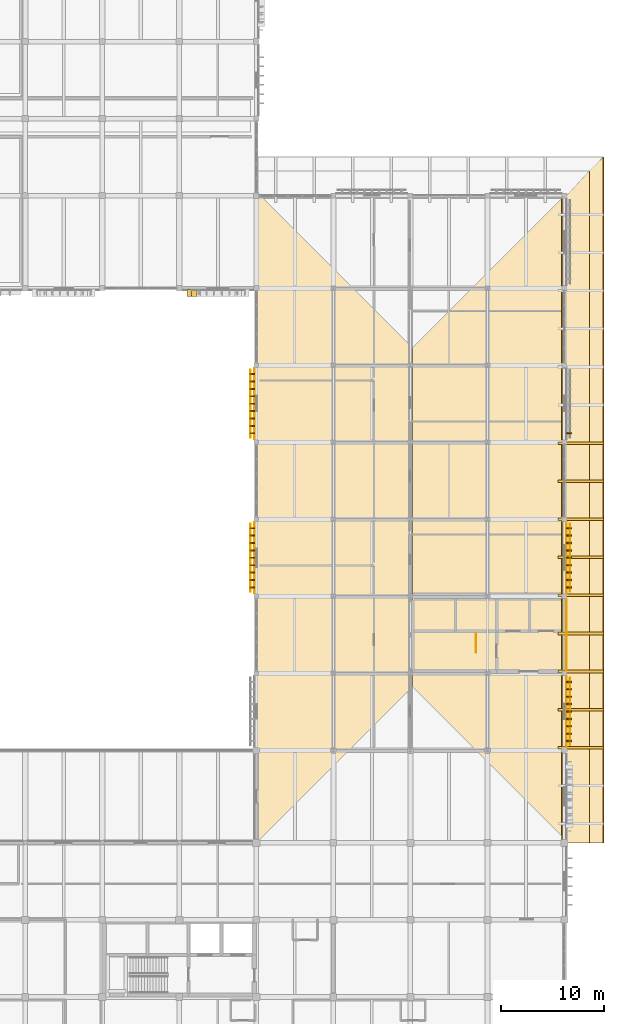
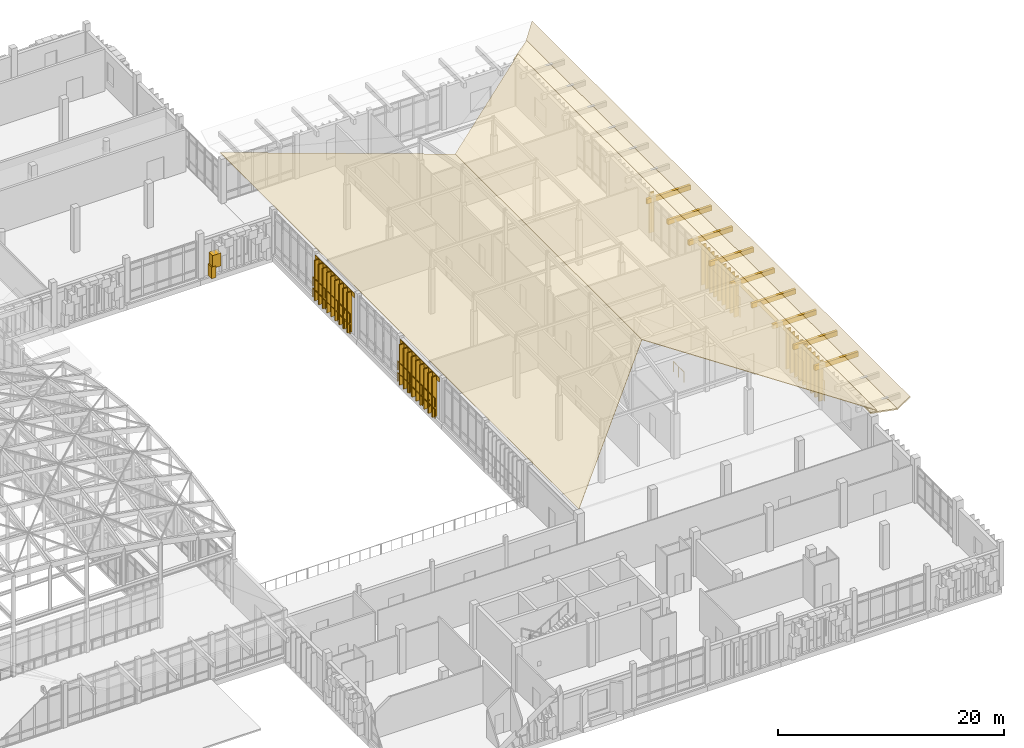
# One storey, part 129 of 131: 57 coverings, 9 railings.
"""IFC4 building model written with IfcOpenShell, lengths in metres."""

import ifcopenshell
import ifcopenshell.guid

model = None  # the IFC model being written
_history = None  # IfcOwnerHistory: only IFC2X3 demands one
_inside = {}  # id of a spatial element -> (the spatial element, [elements in it])
_under = {}  # id of a project, library or spatial element -> (it, [spatial elements below it])
_declared = {}  # id of a project -> (the project, [libraries it declares])
_typed = {}  # id of a type object -> (the type object, [elements of that type])
_made_of = {}  # id of a material, layer set ... -> (it, [elements and type objects made of it])


def new_model(schema):
    """Start an empty IFC model of exactly this schema.

    Asked for "IFC4X3", IfcOpenShell would pick the latest addendum, in which some entities
    have other attributes; the version numbers below select the first issue.
    IFC2X3 requires an IfcOwnerHistory on every rooted entity: one is made here for all.
    """
    global model, _history
    if schema == "IFC4X3":
        model = ifcopenshell.file(schema_version=(4, 3, 0, 0))
    else:
        model = ifcopenshell.file(schema=schema)
    _inside.clear()
    _under.clear()
    _declared.clear()
    _typed.clear()
    _made_of.clear()
    _history = None
    if model.schema == "IFC2X3":
        org = make("IfcOrganization", Name="unknown")
        user = make(
            "IfcPersonAndOrganization",
            ThePerson=make("IfcPerson", FamilyName="unknown"),
            TheOrganization=org,
        )
        app = make(
            "IfcApplication",
            ApplicationDeveloper=org,
            Version="unknown",
            ApplicationFullName="unknown",
            ApplicationIdentifier="unknown",
        )
        _history = make(
            "IfcOwnerHistory",
            OwningUser=user,
            OwningApplication=app,
            ChangeAction="ADDED",
            CreationDate=0,
        )
    return model


def make(cls, **values):
    """One entity of the class cls with the attributes given. An attribute that is None is left unset."""
    return model.create_entity(
        cls, **{name: value for name, value in values.items() if value is not None}
    )


def rooted(cls, **values):
    """An entity with a GlobalId (a new one), such as an element, a storey or a relation."""
    return make(cls, GlobalId=ifcopenshell.guid.new(), OwnerHistory=_history, **values)


def si_unit(unit_type, name, prefix=None):
    """IfcSIUnit, for example si_unit("LENGTHUNIT", "METRE", prefix="MILLI")."""
    return make("IfcSIUnit", UnitType=unit_type, Prefix=prefix, Name=name)


def assignment(units):
    """IfcUnitAssignment: the units of a project."""
    return None if units is None else make("IfcUnitAssignment", Units=units)


def point(xyz):
    """IfcCartesianPoint."""
    return None if xyz is None else make("IfcCartesianPoint", Coordinates=xyz)


def direction(xyz):
    """IfcDirection."""
    return None if xyz is None else make("IfcDirection", DirectionRatios=xyz)


def frame(location, z_axis=None, x_axis=None):
    """IfcAxis2Placement3D, a coordinate frame: its origin and axes. An axis left out is left unset."""
    return make(
        "IfcAxis2Placement3D",
        Location=point(location),
        Axis=direction(z_axis),
        RefDirection=direction(x_axis),
    )


def frame_2d(location, x_axis=None):
    """IfcAxis2Placement2D, a coordinate frame in the plane: its origin and x axis."""
    return make(
        "IfcAxis2Placement2D", Location=point(location), RefDirection=direction(x_axis)
    )


def origin():
    """The frame at (0, 0, 0) with its axes left unset."""
    return frame((0.0, 0.0, 0.0))


def origin_2d():
    """The frame at (0, 0) in the plane with its x axis left unset."""
    return frame_2d((0.0, 0.0))


def place(relative_to, where):
    """IfcLocalPlacement: puts the frame where relative to a parent placement (None: the world)."""
    return make(
        "IfcLocalPlacement", PlacementRelTo=relative_to, RelativePlacement=where
    )


def context(
    kind, dimensions, precision=None, world=None, true_north=None, identifier=None
):
    """IfcGeometricRepresentationContext, for example the 3D "Model" context."""
    return make(
        "IfcGeometricRepresentationContext",
        ContextIdentifier=identifier,
        ContextType=kind,
        CoordinateSpaceDimension=dimensions,
        Precision=precision,
        WorldCoordinateSystem=world,
        TrueNorth=true_north,
    )


def subcontext(parent, identifier, kind, view, scale=None):
    """IfcGeometricRepresentationSubContext, for example "Body" below "Model"."""
    return make(
        "IfcGeometricRepresentationSubContext",
        ContextIdentifier=identifier,
        ContextType=kind,
        ParentContext=parent,
        TargetScale=scale,
        TargetView=view,
    )


def project(units=None, contexts=None):
    """IfcProject with its units and contexts."""
    return rooted(
        "IfcProject",
        Name="project",
        RepresentationContexts=contexts,
        UnitsInContext=assignment(units),
    )


def spatial(cls, under=None, at=None, **own):
    """A site, building, storey or space (cls), placed at a placement, below another one or the project."""
    s = rooted(cls, ObjectPlacement=at, **own)
    if under is not None:
        _under.setdefault(under.id(), (under, []))[1].append(s)
    return s


def polyline(points):
    """IfcPolyline through the points."""
    return make("IfcPolyline", Points=[point(p) for p in points])


def profile(cls, at=None, kind="AREA", **sizes):
    """A parametric profile (cls). Its sizes go by their IFC names, for example OverallWidth=200.0."""
    return make(cls, ProfileType=kind, Position=at, **sizes)


def rectangle(**sizes):
    """IfcRectangleProfileDef."""
    return profile("IfcRectangleProfileDef", **sizes)


def circle(**sizes):
    """IfcCircleProfileDef."""
    return profile("IfcCircleProfileDef", **sizes)


def outline(outer, holes=None, kind="AREA"):
    """IfcArbitraryClosedProfileDef: a profile drawn as a closed curve; with holes, ...WithVoids."""
    if holes is None:
        return make("IfcArbitraryClosedProfileDef", ProfileType=kind, OuterCurve=outer)
    return make(
        "IfcArbitraryProfileDefWithVoids",
        ProfileType=kind,
        OuterCurve=outer,
        InnerCurves=holes,
    )


def extrude(swept, where, along, depth):
    """IfcExtrudedAreaSolid: the profile swept, set in the frame where, extruded along a direction by depth."""
    return make(
        "IfcExtrudedAreaSolid",
        SweptArea=swept,
        Position=where,
        ExtrudedDirection=direction(along),
        Depth=depth,
    )


def shape(context_of_items, identifier, shape_type, items):
    """IfcShapeRepresentation: the items that make up one representation, for example the "Body"."""
    return make(
        "IfcShapeRepresentation",
        ContextOfItems=context_of_items,
        RepresentationIdentifier=identifier,
        RepresentationType=shape_type,
        Items=items,
    )


def material(Name=None, Category=None):
    """IfcMaterial."""
    return make("IfcMaterial", Name=Name, Category=Category)


def layer(
    of_material, thickness, ventilated=None, Name=None, Category=None, Priority=None
):
    """IfcMaterialLayer: one layer of a wall or slab, of a material (None: an air gap)."""
    return make(
        "IfcMaterialLayer",
        Material=of_material,
        LayerThickness=thickness,
        IsVentilated=ventilated,
        Name=Name,
        Category=Category,
        Priority=Priority,
    )


def layer_set(layers, Name=None):
    """IfcMaterialLayerSet."""
    return make("IfcMaterialLayerSet", MaterialLayers=layers, LayerSetName=Name)


def made_of(thing, what):
    """Note that an element or type object is made of a material, layer set ...; save() writes the relation."""
    if what is not None:
        _made_of.setdefault(what.id(), (what, []))[1].append(thing)
    return thing


def type_object(cls, material=None, **own):
    """A type object (cls), such as IfcWallType, which elements share."""
    return made_of(rooted(cls, **own), material)


def element(
    cls,
    number,
    at=None,
    inside=None,
    cuts=None,
    type_object=None,
    material=None,
    context=None,
    identifier="Body",
    shape_type=None,
    held_by="IfcProductDefinitionShape",
    body=None,
    shapes=None,
    **own,
):
    """One element of the class cls, such as IfcWall. Its Tag is "e" and its number.

    at: its placement. inside: the storey or other place that contains it. cuts: it is an
    opening in that element (IfcRelVoidsElement). A single representation is given by context,
    identifier, shape_type and body (its items); several are given by shapes. held_by: the class
    of the entity that holds the representations. save() writes the other relations.
    """
    e = rooted(cls, Tag="e%d" % number, ObjectPlacement=at, **own)
    if body is not None:
        shapes = [shape(context, identifier, shape_type, body)]
    if shapes is not None:
        e.Representation = make(held_by, Representations=shapes)
    if inside is not None:
        _inside.setdefault(inside.id(), (inside, []))[1].append(e)
    if cuts is not None:
        rooted(
            "IfcRelVoidsElement", RelatingBuildingElement=cuts, RelatedOpeningElement=e
        )
    if type_object is not None:
        _typed.setdefault(type_object.id(), (type_object, []))[1].append(e)
    return made_of(e, material)


def aggregate(whole, parts):
    """IfcRelAggregates: a whole, such as a stair, and the parts it consists of."""
    return rooted("IfcRelAggregates", RelatingObject=whole, RelatedObjects=parts)


def save(model, path):
    """Write the relations noted so far, then the file.

    IfcRelAggregates (storeys below a building ...), IfcRelContainedInSpatialStructure (elements
    in a storey), IfcRelDefinesByType, IfcRelAssociatesMaterial and IfcRelDeclares: one each for
    every whole, place, type object, material and project.
    """
    for whole, parts in _under.values():
        aggregate(whole, parts)
    for where, things in _inside.values():
        rooted(
            "IfcRelContainedInSpatialStructure",
            RelatedElements=things,
            RelatingStructure=where,
        )
    for kind, things in _typed.values():
        rooted("IfcRelDefinesByType", RelatedObjects=things, RelatingType=kind)
    for what, things in _made_of.values():
        rooted("IfcRelAssociatesMaterial", RelatedObjects=things, RelatingMaterial=what)
    for by, libraries in _declared.values():
        rooted("IfcRelDeclares", RelatingContext=by, RelatedDefinitions=libraries)
    model.write(path)


model = new_model("IFC4")

# Units and contexts
model_context = context("Model", 3, precision=1e-05, world=origin(), true_north=direction((0.0, 1.0)))
body_context = subcontext(model_context, "Body", "Model", "MODEL_VIEW")
ifc_project = project(units=[si_unit("LENGTHUNIT", "METRE"), si_unit("AREAUNIT", "SQUARE_METRE"), si_unit("VOLUMEUNIT", "CUBIC_METRE"), si_unit("PLANEANGLEUNIT", "RADIAN"), si_unit("MASSUNIT", "GRAM", prefix="KILO")], contexts=[model_context])

# Site, building, storey
site_placement = place(None, origin())
site = spatial("IfcSite", under=ifc_project, at=site_placement, CompositionType="ELEMENT")
building_placement = place(site_placement, origin())
building = spatial("IfcBuilding", under=site, at=building_placement, Name="Dalvernix Boulevard General Hospital", CompositionType="ELEMENT")
storey_placement = place(building_placement, frame((0.0, 0.0, 9.300048828125)))
storey = spatial("IfcBuildingStorey", under=building, at=storey_placement, Name="L02", CompositionType="ELEMENT", Elevation=9.300048828125)

# Coverings
ifc_material_1 = material(Name="Pressed Catalan clay brick and dressed limestone parabolic archivolt", Category="masonry")
ifc_layer_1 = layer(ifc_material_1, 0.419921875)
ifc_layer_set_1 = layer_set([ifc_layer_1], Name="Pressed Catalan clay brick and dressed limestone parabolic archivolt (COV-ARC-01)")
covering_type_1 = type_object("IfcCoveringType", Name="COV-ARC-01", PredefinedType="CLADDING", material=ifc_layer_set_1)
covering_1_placement = place(storey_placement, frame((135.96240234375, 76.014892578125, 0.0), z_axis=(0.0, 0.0, 1.0), x_axis=(-1.0, 0.0, 0.0)))
element("IfcCovering", 1, at=covering_1_placement, inside=storey, type_object=covering_type_1, Name="L02 Catalan parabolic arch impost pier S 18-10-R", PredefinedType="CLADDING", context=body_context, shape_type="SweptSolid", body=[
    extrude(rectangle(XDim=0.4599609375, YDim=0.659912109375, at=origin_2d()), origin(), (0.0, 0.0, 1.0), 1.25),
])
covering_2_placement = place(storey_placement, frame((136.273681640625, 76.014892578125, 1.059814453125), z_axis=(0.0, 0.0, 1.0), x_axis=(-1.0, 0.0, 0.0)))
element("IfcCovering", 2, at=covering_2_placement, inside=storey, type_object=covering_type_1, Name="L02 Catalan parabolic archivolt voussoir S 18-10-9", PredefinedType="CLADDING", context=body_context, shape_type="SweptSolid", body=[
    extrude(rectangle(XDim=0.8623046875, YDim=0.659912109375, at=origin_2d()), origin(), (0.0, 0.0, 1.0), 1.3994140625),
])
ifc_material_2 = material(Name="Polychrome Catalan glazed ceramic spandrel tile panel")
ifc_layer_2 = layer(ifc_material_2, 0.044921875)
ifc_layer_set_2 = layer_set([ifc_layer_2], Name="Polychrome Catalan glazed ceramic spandrel tile panel (COV-CLD-01)")
covering_type_2 = type_object("IfcCoveringType", Name="COV-CLD-01", PredefinedType="CLADDING", material=ifc_layer_set_2)
for number, where, z_axis, x_axis, name in (
    (3, (142.304931640625, 50.25, 4.0751953125), (0.0, 0.0, 1.0), (0.0, 1.0, 0.0), "L02 polychrome ceramic spandrel W 19-6"),
    (4, (142.304931640625, 65.25, 4.0751953125), (0.0, 0.0, 1.0), (0.0, 1.0, 0.0), "L02 polychrome ceramic spandrel W 19-8"),
):
    element("IfcCovering", number, at=place(storey_placement, frame(where, z_axis=z_axis, x_axis=x_axis)), inside=storey, type_object=covering_type_2, Name=name, PredefinedType="CLADDING", context=body_context, shape_type="SweptSolid", body=[
        extrude(rectangle(XDim=6.929931640625, YDim=0.044921875, at=origin_2d()), origin(), (0.0, 0.0, 1.0), 0.449951171875),
    ])
covering_3_placement = place(storey_placement, frame((172.695068359375, 35.28759765625, 4.0751953125), z_axis=(0.0, 0.0, 1.0), x_axis=(0.0, -1.0, 0.0)))
element("IfcCovering", 5, at=covering_3_placement, inside=storey, type_object=covering_type_2, Name="L02 polychrome ceramic spandrel E 23-4", PredefinedType="CLADDING", context=body_context, shape_type="SweptSolid", body=[
    extrude(rectangle(XDim=6.85498046875, YDim=0.044921875, at=origin_2d()), origin(), (0.0, 0.0, 1.0), 0.449951171875),
])
for number, where, z_axis, x_axis, name in (
    (6, (172.695068359375, 42.75, 4.0751953125), (0.0, 0.0, 1.0), (0.0, -1.0, 0.0), "L02 polychrome ceramic spandrel E 23-5"),
    (7, (172.695068359375, 50.25, 4.0751953125), (0.0, 0.0, 1.0), (0.0, -1.0, 0.0), "L02 polychrome ceramic spandrel E 23-6"),
):
    element("IfcCovering", number, at=place(storey_placement, frame(where, z_axis=z_axis, x_axis=x_axis)), inside=storey, type_object=covering_type_2, Name=name, PredefinedType="CLADDING", context=body_context, shape_type="SweptSolid", body=[
        extrude(rectangle(XDim=6.929931640625, YDim=0.044921875, at=origin_2d()), origin(), (0.0, 0.0, 1.0), 0.449951171875),
    ])
ifc_material_3 = material(Name="Glazed Catalan terracotta and iroko timber overhanging upturned eave", Category="masonry")
ifc_layer_3 = layer(ifc_material_3, 0.139892578125)
ifc_layer_set_3 = layer_set([ifc_layer_3], Name="Glazed Catalan terracotta and iroko timber overhanging upturned eave (COV-EAVE-01)")
covering_type_3 = type_object("IfcCoveringType", Name="COV-EAVE-01", PredefinedType="CLADDING", material=ifc_layer_set_3)
covering_4_placement = place(storey_placement, frame((172.25, 22.5, 5.06005859375), z_axis=(0.185805173125, 0.0, 0.982586605669), x_axis=(0.0, 1.0, 0.0)))
element("IfcCovering", 8, at=covering_4_placement, inside=storey, type_object=covering_type_3, Name="V2 overhanging ceramic eave skirt E", PredefinedType="CLADDING", context=body_context, shape_type="SweptSolid", body=[
    extrude(outline(polyline([(0.0, 0.0), (63.0, 0.0), (65.5, -2.798735484621844), (0.0, -2.798735484621844), (0.0, 0.0)])), origin(), (0.0, 0.0, -1.0), 0.139892578125),
])
covering_5_placement = place(storey_placement, frame((174.919921875, 22.5, 4.5400390625), z_axis=(-0.542906093133, 0.0, 0.839793411524), x_axis=(0.0, 1.0, 0.0)))
element("IfcCovering", 9, at=covering_5_placement, inside=storey, type_object=covering_type_3, Name="V2 upturned ceramic eave wing E", PredefinedType="CLADDING", context=body_context, shape_type="SweptSolid", body=[
    extrude(outline(polyline([(0.0, 0.0), (65.5, 0.0), (66.75, -1.5838158608391104), (0.0, -1.5838158608391104), (0.0, 0.0)])), origin(), (0.0, 0.0, -1.0), 0.139892578125),
])
ifc_material_4 = material(Name="Preservative-treated glulam GL28h eave outlooker corbel bracket", Category="wood")
ifc_layer_4 = layer(ifc_material_4, 0.239990234375)
ifc_layer_set_4 = layer_set([ifc_layer_4], Name="Preservative-treated glulam GL28h eave outlooker corbel bracket (COV-OUTLOOK-01)")
covering_type_4 = type_object("IfcCoveringType", Name="COV-OUTLOOK-01", PredefinedType="CLADDING", material=ifc_layer_set_4)
for number, where, z_axis, x_axis, name in (
    (10, (174.074951171875, 31.7646484375, 4.139892578125), (0.0, 0.0, 1.0), (1.0, 0.0, 0.0), "V2 glulam eave outlooker corbel E-3"),
    (11, (174.074951171875, 35.470703125, 4.139892578125), (0.0, 0.0, 1.0), (1.0, 0.0, 0.0), "V2 glulam eave outlooker corbel E-4"),
    (12, (174.074951171875, 39.176513671875, 4.139892578125), (0.0, 0.0, 1.0), (1.0, 0.0, 0.0), "V2 glulam eave outlooker corbel E-5"),
    (13, (174.074951171875, 42.88232421875, 4.139892578125), (0.0, 0.0, 1.0), (1.0, 0.0, 0.0), "V2 glulam eave outlooker corbel E-6"),
    (14, (174.074951171875, 46.588134765625, 4.139892578125), (0.0, 0.0, 1.0), (1.0, 0.0, 0.0), "V2 glulam eave outlooker corbel E-7"),
    (15, (174.074951171875, 50.294189453125, 4.139892578125), (0.0, 0.0, 1.0), (1.0, 0.0, 0.0), "V2 glulam eave outlooker corbel E-8"),
    (16, (174.074951171875, 54.0, 4.139892578125), (0.0, 0.0, 1.0), (1.0, 0.0, 0.0), "V2 glulam eave outlooker corbel E-9"),
    (17, (174.074951171875, 57.705810546875, 4.139892578125), (0.0, 0.0, 1.0), (1.0, 0.0, 0.0), "V2 glulam eave outlooker corbel E-10"),
    (18, (174.074951171875, 61.411865234375, 4.139892578125), (0.0, 0.0, 1.0), (1.0, 0.0, 0.0), "V2 glulam eave outlooker corbel E-11"),
):
    element("IfcCovering", number, at=place(storey_placement, frame(where, z_axis=z_axis, x_axis=x_axis)), inside=storey, type_object=covering_type_4, Name=name, PredefinedType="CLADDING", context=body_context, shape_type="SweptSolid", body=[
        extrude(rectangle(XDim=4.449951171875, YDim=0.260009765625, at=origin_2d()), origin(), (0.0, 0.0, 1.0), 0.52001953125),
    ])
ifc_material_5 = material(Name="Polychrome Catalan glazed terracotta roof tiles", Category="masonry")
ifc_layer_5 = layer(ifc_material_5, 0.050048828125)
ifc_layer_set_5 = layer_set([ifc_layer_5], Name="Polychrome Catalan glazed terracotta roof tiles (COV-ROOF-01)")
covering_type_5 = type_object("IfcCoveringType", Name="COV-ROOF-01", PredefinedType="ROOFING", material=ifc_layer_set_5)
for number, where, z_axis, x_axis, name in (
    (19, (142.5, 85.89990234375, 5.070068359375), (-0.238529380826, 0.0, 0.971135281247), (0.0, -1.0, 0.0), "V2 glazed terracotta tile slope W"),
    (20, (172.89990234375, 22.5, 5.070068359375), (0.238529380826, 0.0, 0.971135281247), (0.0, 1.0, 0.0), "V2 glazed terracotta tile slope E"),
):
    element("IfcCovering", number, at=place(storey_placement, frame(where, z_axis=z_axis, x_axis=x_axis)), inside=storey, type_object=covering_type_5, Name=name, PredefinedType="ROOFING", context=body_context, shape_type="SweptSolid", body=[
        extrude(outline(polyline([(0.0, 0.0), (63.39990234375, 0.0), (48.199951171875, 15.651734073913714), (15.199951171875, 15.651734073913714), (0.0, 0.0)])), origin(), (0.0, 0.0, -1.0), 0.050048828125),
    ])
ifc_material_6 = material(Name="Preservative-treated West African iroko timber lattice screen", Category="wood")
ifc_layer_6 = layer(ifc_material_6, 0.1201171875)
ifc_layer_set_6 = layer_set([ifc_layer_6], Name="Preservative-treated West African iroko timber lattice screen (COV-TSCR-01)")
covering_type_6 = type_object("IfcCoveringType", Name="COV-TSCR-01", PredefinedType="CLADDING", material=ifc_layer_set_6)
for number, where, z_axis, x_axis, name in (
    (21, (142.10498046875, 47.3701171875, 0.099853515625), (0.0, 0.0, 1.0), (0.0, 1.0, 0.0), "L02 upper-ward timber screen blade W 19-6-1"),
    (22, (142.10498046875, 48.090087890625, 0.099853515625), (0.0, 0.0, 1.0), (0.0, 1.0, 0.0), "L02 upper-ward timber screen blade W 19-6-2"),
    (23, (142.10498046875, 48.81005859375, 0.099853515625), (0.0, 0.0, 1.0), (0.0, 1.0, 0.0), "L02 upper-ward timber screen blade W 19-6-3"),
    (24, (142.10498046875, 49.530029296875, 0.099853515625), (0.0, 0.0, 1.0), (0.0, 1.0, 0.0), "L02 upper-ward timber screen blade W 19-6-4"),
    (25, (142.10498046875, 50.25, 0.099853515625), (0.0, 0.0, 1.0), (0.0, 1.0, 0.0), "L02 upper-ward timber screen blade W 19-6-5"),
    (26, (142.10498046875, 50.969970703125, 0.099853515625), (0.0, 0.0, 1.0), (0.0, 1.0, 0.0), "L02 upper-ward timber screen blade W 19-6-6"),
    (27, (142.10498046875, 51.68994140625, 0.099853515625), (0.0, 0.0, 1.0), (0.0, 1.0, 0.0), "L02 upper-ward timber screen blade W 19-6-7"),
    (28, (142.10498046875, 52.409912109375, 0.099853515625), (0.0, 0.0, 1.0), (0.0, 1.0, 0.0), "L02 upper-ward timber screen blade W 19-6-8"),
    (29, (142.10498046875, 53.1298828125, 0.099853515625), (0.0, 0.0, 1.0), (0.0, 1.0, 0.0), "L02 upper-ward timber screen blade W 19-6-9"),
    (30, (142.10498046875, 62.3701171875, 0.099853515625), (0.0, 0.0, 1.0), (0.0, 1.0, 0.0), "L02 upper-ward timber screen blade W 19-8-1"),
    (31, (142.10498046875, 63.090087890625, 0.099853515625), (0.0, 0.0, 1.0), (0.0, 1.0, 0.0), "L02 upper-ward timber screen blade W 19-8-2"),
    (32, (142.10498046875, 63.81005859375, 0.099853515625), (0.0, 0.0, 1.0), (0.0, 1.0, 0.0), "L02 upper-ward timber screen blade W 19-8-3"),
    (33, (142.10498046875, 64.530029296875, 0.099853515625), (0.0, 0.0, 1.0), (0.0, 1.0, 0.0), "L02 upper-ward timber screen blade W 19-8-4"),
    (34, (142.10498046875, 65.25, 0.099853515625), (0.0, 0.0, 1.0), (0.0, 1.0, 0.0), "L02 upper-ward timber screen blade W 19-8-5"),
    (35, (142.10498046875, 65.969970703125, 0.099853515625), (0.0, 0.0, 1.0), (0.0, 1.0, 0.0), "L02 upper-ward timber screen blade W 19-8-6"),
    (36, (142.10498046875, 66.68994140625, 0.099853515625), (0.0, 0.0, 1.0), (0.0, 1.0, 0.0), "L02 upper-ward timber screen blade W 19-8-7"),
    (37, (142.10498046875, 67.409912109375, 0.099853515625), (0.0, 0.0, 1.0), (0.0, 1.0, 0.0), "L02 upper-ward timber screen blade W 19-8-8"),
    (38, (142.10498046875, 68.1298828125, 0.099853515625), (0.0, 0.0, 1.0), (0.0, 1.0, 0.0), "L02 upper-ward timber screen blade W 19-8-9"),
    (39, (172.89501953125, 38.16748046875, 0.099853515625), (0.0, 0.0, 1.0), (0.0, -1.0, 0.0), "L02 upper-ward timber screen blade E 23-4-1"),
    (40, (172.89501953125, 37.447509765625, 0.099853515625), (0.0, 0.0, 1.0), (0.0, -1.0, 0.0), "L02 upper-ward timber screen blade E 23-4-2"),
    (41, (172.89501953125, 36.7275390625, 0.099853515625), (0.0, 0.0, 1.0), (0.0, -1.0, 0.0), "L02 upper-ward timber screen blade E 23-4-3"),
    (42, (172.89501953125, 36.007568359375, 0.099853515625), (0.0, 0.0, 1.0), (0.0, -1.0, 0.0), "L02 upper-ward timber screen blade E 23-4-4"),
    (43, (172.89501953125, 35.28759765625, 0.099853515625), (0.0, 0.0, 1.0), (0.0, -1.0, 0.0), "L02 upper-ward timber screen blade E 23-4-5"),
    (44, (172.89501953125, 34.5673828125, 0.099853515625), (0.0, 0.0, 1.0), (0.0, -1.0, 0.0), "L02 upper-ward timber screen blade E 23-4-6"),
    (45, (172.89501953125, 33.847412109375, 0.099853515625), (0.0, 0.0, 1.0), (0.0, -1.0, 0.0), "L02 upper-ward timber screen blade E 23-4-7"),
    (46, (172.89501953125, 33.12744140625, 0.099853515625), (0.0, 0.0, 1.0), (0.0, -1.0, 0.0), "L02 upper-ward timber screen blade E 23-4-8"),
    (47, (172.89501953125, 32.407470703125, 0.099853515625), (0.0, 0.0, 1.0), (0.0, -1.0, 0.0), "L02 upper-ward timber screen blade E 23-4-9"),
    (48, (172.89501953125, 53.1298828125, 0.099853515625), (0.0, 0.0, 1.0), (0.0, -1.0, 0.0), "L02 upper-ward timber screen blade E 23-6-1"),
    (49, (172.89501953125, 52.409912109375, 0.099853515625), (0.0, 0.0, 1.0), (0.0, -1.0, 0.0), "L02 upper-ward timber screen blade E 23-6-2"),
    (50, (172.89501953125, 51.68994140625, 0.099853515625), (0.0, 0.0, 1.0), (0.0, -1.0, 0.0), "L02 upper-ward timber screen blade E 23-6-3"),
    (51, (172.89501953125, 50.969970703125, 0.099853515625), (0.0, 0.0, 1.0), (0.0, -1.0, 0.0), "L02 upper-ward timber screen blade E 23-6-4"),
    (52, (172.89501953125, 50.25, 0.099853515625), (0.0, 0.0, 1.0), (0.0, -1.0, 0.0), "L02 upper-ward timber screen blade E 23-6-5"),
    (53, (172.89501953125, 49.530029296875, 0.099853515625), (0.0, 0.0, 1.0), (0.0, -1.0, 0.0), "L02 upper-ward timber screen blade E 23-6-6"),
    (54, (172.89501953125, 48.81005859375, 0.099853515625), (0.0, 0.0, 1.0), (0.0, -1.0, 0.0), "L02 upper-ward timber screen blade E 23-6-7"),
    (55, (172.89501953125, 48.090087890625, 0.099853515625), (0.0, 0.0, 1.0), (0.0, -1.0, 0.0), "L02 upper-ward timber screen blade E 23-6-8"),
    (56, (172.89501953125, 47.3701171875, 0.099853515625), (0.0, 0.0, 1.0), (0.0, -1.0, 0.0), "L02 upper-ward timber screen blade E 23-6-9"),
    (57, (172.89501953125, 62.3701171875, 0.099853515625), (0.0, 0.0, 1.0), (0.0, -1.0, 0.0), "L02 upper-ward timber screen blade E 23-8-9"),
):
    element("IfcCovering", number, at=place(storey_placement, frame(where, z_axis=z_axis, x_axis=x_axis)), inside=storey, type_object=covering_type_6, Name=name, PredefinedType="CLADDING", context=body_context, shape_type="SweptSolid", body=[
        extrude(rectangle(XDim=0.1298828125, YDim=0.47998046875, at=origin_2d()), origin(), (0.0, 0.0, 1.0), 4.35009765625),
    ])

# Railings
ifc_material_7 = material(Name="Brushed stainless steel balustrade", Category="steel")
railing_type_1 = type_object("IfcRailingType", Name="RL-GR-INT1", PredefinedType="BALUSTRADE", material=ifc_material_7)
railing_placement = place(storey_placement, frame((163.89990234375, 42.89990234375, 0.0)))
element("IfcRailing", 58, at=railing_placement, inside=storey, type_object=railing_type_1, Name="L02 ST-06 top well guard 1", PredefinedType="BALUSTRADE", context=body_context, shape_type="SweptSolid", body=[
    extrude(circle(Radius=0.02392578125, at=origin_2d()), frame((0.0, 0.0, 1.09619140625), z_axis=(0.0, -1.0, 0.0), x_axis=(1.0, 0.0, 0.0)), (0.0, 0.0, 1.0), 1.849853515625),
    extrude(circle(Radius=0.02099609375, at=origin_2d()), origin(), (0.0, 0.0, 1.0), 1.072021484375),
    extrude(circle(Radius=0.02099609375, at=origin_2d()), frame((0.0, -0.9248046875, 0.0)), (0.0, 0.0, 1.0), 1.072021484375),
    extrude(circle(Radius=0.02099609375, at=origin_2d()), frame((0.0, -1.849853515625, 0.0)), (0.0, 0.0, 1.0), 1.072021484375),
])
ifc_material_8 = material(Name="Preservative-treated iroko timber horizontal screen louver rail", Category="wood")
railing_type_2 = type_object("IfcRailingType", Name="RL-TSCR-01", PredefinedType="BALUSTRADE", material=ifc_material_8)
for number, where, name in (
    (59, (141.945068359375, 46.955078125, 0.25), "L02 upper-ward horizontal timber screen louver W 19-6-1"),
    (60, (141.945068359375, 46.955078125, 1.449951171875), "L02 upper-ward horizontal timber screen louver W 19-6-2"),
    (61, (141.945068359375, 61.955078125, 0.25), "L02 upper-ward horizontal timber screen louver W 19-8-1"),
    (62, (141.945068359375, 61.955078125, 1.449951171875), "L02 upper-ward horizontal timber screen louver W 19-8-2"),
):
    element("IfcRailing", number, at=place(storey_placement, frame(where)), inside=storey, type_object=railing_type_2, Name=name, PredefinedType="BALUSTRADE", context=body_context, shape_type="SweptSolid", body=[
        extrude(circle(Radius=0.02392578125, at=origin_2d()), frame((0.0, 0.0, 0.92578125), z_axis=(0.0, 1.0, 0.0), x_axis=(-1.0, 0.0, 0.0)), (0.0, 0.0, 1.0), 6.58984375),
        extrude(circle(Radius=0.02099609375, at=origin_2d()), origin(), (0.0, 0.0, 1.0), 0.90185546875),
        extrude(circle(Radius=0.02099609375, at=origin_2d()), frame((0.0, 1.098388671875, 0.0)), (0.0, 0.0, 1.0), 0.90185546875),
        extrude(circle(Radius=0.02099609375, at=origin_2d()), frame((0.0, 2.196533203125, 0.0)), (0.0, 0.0, 1.0), 0.90185546875),
        extrude(circle(Radius=0.02099609375, at=origin_2d()), frame((0.0, 3.294921875, 0.0)), (0.0, 0.0, 1.0), 0.90185546875),
        extrude(circle(Radius=0.02099609375, at=origin_2d()), frame((0.0, 4.393310546875, 0.0)), (0.0, 0.0, 1.0), 0.90185546875),
        extrude(circle(Radius=0.02099609375, at=origin_2d()), frame((0.0, 5.491455078125, 0.0)), (0.0, 0.0, 1.0), 0.90185546875),
        extrude(circle(Radius=0.02099609375, at=origin_2d()), frame((0.0, 6.58984375, 0.0)), (0.0, 0.0, 1.0), 0.90185546875),
    ])
for number, where, name in (
    (63, (173.054931640625, 38.544921875, 0.25), "L02 upper-ward horizontal timber screen louver E 23-4-1"),
    (64, (173.054931640625, 38.544921875, 1.449951171875), "L02 upper-ward horizontal timber screen louver E 23-4-2"),
):
    element("IfcRailing", number, at=place(storey_placement, frame(where)), inside=storey, type_object=railing_type_2, Name=name, PredefinedType="BALUSTRADE", context=body_context, shape_type="SweptSolid", body=[
        extrude(circle(Radius=0.02392578125, at=origin_2d()), frame((0.0, 0.0, 0.92578125), z_axis=(0.0, -1.0, 0.0), x_axis=(1.0, 0.0, 0.0)), (0.0, 0.0, 1.0), 6.514892578125),
        extrude(circle(Radius=0.02099609375, at=origin_2d()), origin(), (0.0, 0.0, 1.0), 0.90185546875),
        extrude(circle(Radius=0.02099609375, at=origin_2d()), frame((0.0, -1.0859375, 0.0)), (0.0, 0.0, 1.0), 0.90185546875),
        extrude(circle(Radius=0.02099609375, at=origin_2d()), frame((0.0, -2.171630859375, 0.0)), (0.0, 0.0, 1.0), 0.90185546875),
        extrude(circle(Radius=0.02099609375, at=origin_2d()), frame((0.0, -3.25732421875, 0.0)), (0.0, 0.0, 1.0), 0.90185546875),
        extrude(circle(Radius=0.02099609375, at=origin_2d()), frame((0.0, -4.34326171875, 0.0)), (0.0, 0.0, 1.0), 0.90185546875),
        extrude(circle(Radius=0.02099609375, at=origin_2d()), frame((0.0, -5.42919921875, 0.0)), (0.0, 0.0, 1.0), 0.90185546875),
        extrude(circle(Radius=0.02099609375, at=origin_2d()), frame((0.0, -6.514892578125, 0.0)), (0.0, 0.0, 1.0), 0.90185546875),
    ])
for number, where, name in (
    (65, (173.054931640625, 53.544921875, 0.25), "L02 upper-ward horizontal timber screen louver E 23-6-1"),
    (66, (173.054931640625, 53.544921875, 1.449951171875), "L02 upper-ward horizontal timber screen louver E 23-6-2"),
):
    element("IfcRailing", number, at=place(storey_placement, frame(where)), inside=storey, type_object=railing_type_2, Name=name, PredefinedType="BALUSTRADE", context=body_context, shape_type="SweptSolid", body=[
        extrude(circle(Radius=0.02392578125, at=origin_2d()), frame((0.0, 0.0, 0.92578125), z_axis=(0.0, -1.0, 0.0), x_axis=(1.0, 0.0, 0.0)), (0.0, 0.0, 1.0), 6.58984375),
        extrude(circle(Radius=0.02099609375, at=origin_2d()), origin(), (0.0, 0.0, 1.0), 0.90185546875),
        extrude(circle(Radius=0.02099609375, at=origin_2d()), frame((0.0, -1.098388671875, 0.0)), (0.0, 0.0, 1.0), 0.90185546875),
        extrude(circle(Radius=0.02099609375, at=origin_2d()), frame((0.0, -2.196533203125, 0.0)), (0.0, 0.0, 1.0), 0.90185546875),
        extrude(circle(Radius=0.02099609375, at=origin_2d()), frame((0.0, -3.294921875, 0.0)), (0.0, 0.0, 1.0), 0.90185546875),
        extrude(circle(Radius=0.02099609375, at=origin_2d()), frame((0.0, -4.393310546875, 0.0)), (0.0, 0.0, 1.0), 0.90185546875),
        extrude(circle(Radius=0.02099609375, at=origin_2d()), frame((0.0, -5.491455078125, 0.0)), (0.0, 0.0, 1.0), 0.90185546875),
        extrude(circle(Radius=0.02099609375, at=origin_2d()), frame((0.0, -6.58984375, 0.0)), (0.0, 0.0, 1.0), 0.90185546875),
    ])

save(model, "model.ifc")
